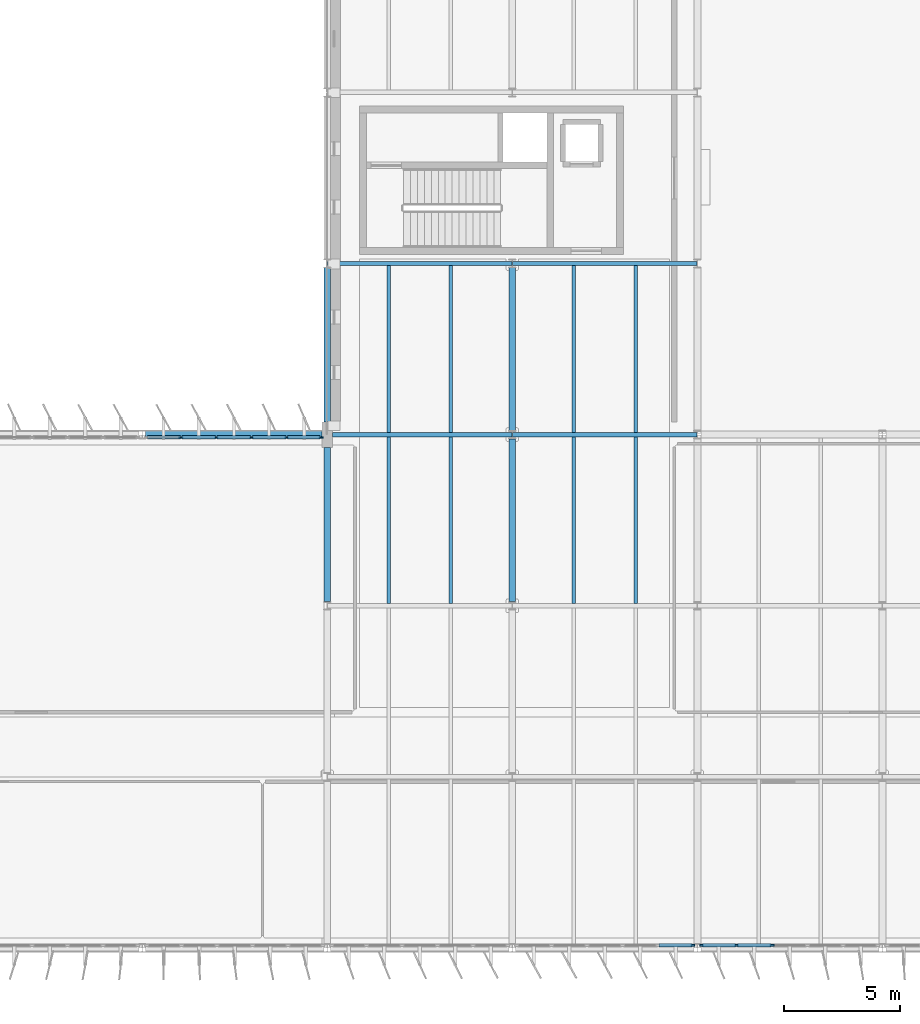
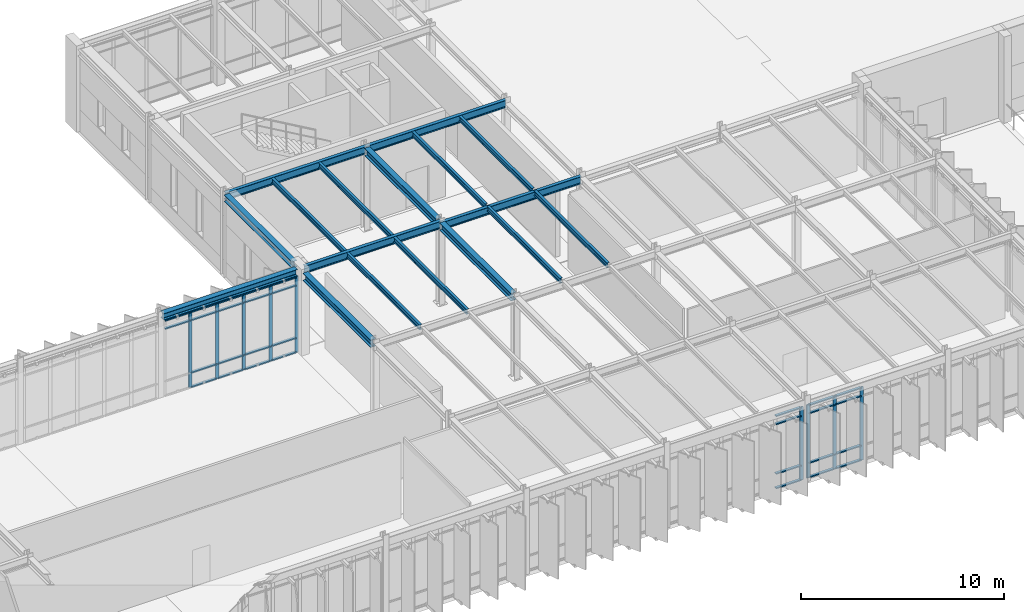
# One storey, part 18 of 48: 39 members, 17 beams, 3 elements without a shape of their own.
"""IFC4 building model written with IfcOpenShell, lengths in metres."""

from ifc_helpers import new_model, si_unit, direction, frame, origin, origin_2d, place, context, subcontext, project, spatial, rectangle, i_section, extrude, material, layer, layer_set, material_profile, profile_set, type_object, element, aggregate, save


model = new_model("IFC4")

# Units and contexts
model_context = context("Model", 3, precision=1e-05, world=origin(), true_north=direction((0.0, 1.0)))
body_context = subcontext(model_context, "Body", "Model", "MODEL_VIEW")
ifc_project = project(units=[si_unit("LENGTHUNIT", "METRE"), si_unit("AREAUNIT", "SQUARE_METRE"), si_unit("VOLUMEUNIT", "CUBIC_METRE"), si_unit("PLANEANGLEUNIT", "RADIAN"), si_unit("MASSUNIT", "GRAM", prefix="KILO")], contexts=[model_context])

# Site, building, storey
site_placement = place(None, origin())
site = spatial("IfcSite", under=ifc_project, at=site_placement, CompositionType="ELEMENT")
building_placement = place(site_placement, origin())
building = spatial("IfcBuilding", under=site, at=building_placement, Name="Valkorina Park Police Headquarters", CompositionType="ELEMENT")
storey_placement = place(building_placement, frame((0.0, 0.0, 18.10009765625)))
storey = spatial("IfcBuildingStorey", under=building, at=storey_placement, Name="L05", CompositionType="ELEMENT", Elevation=18.10009765625)

# Beams
ifc_material_1 = material(Name="Steel S355", Category="steel")
ifc_material_profile_1 = material_profile(ifc_material_1, i_section(OverallWidth=0.300048828125, OverallDepth=0.389892578125, WebThickness=0.010986328125, FlangeThickness=0.01904296875, FilletRadius=0.027099609375, at=origin_2d()), Name="HEA 400")
ifc_profile_set_1 = profile_set([ifc_material_profile_1], Name="Steel S355")
beam_type_1 = type_object("IfcBeamType", Name="BM-S355-HEA400-SPN", PredefinedType="SPANDREL", material=ifc_profile_set_1)
beam_1_placement = place(storey_placement, frame((72.949951171875, 59.199951171875, 4.784912109375), z_axis=(1.0, 0.0, 0.0), x_axis=(0.0, 1.0, 0.0)))
element("IfcBeam", 1, at=beam_1_placement, inside=storey, type_object=beam_type_1, Name="L05 Framing Beam 2496", PredefinedType="SPANDREL", context=body_context, shape_type="SweptSolid", body=[
    extrude(i_section(OverallWidth=0.300048828125, OverallDepth=0.389892578125, WebThickness=0.010986328125, FlangeThickness=0.01904296875, FilletRadius=0.027099609375, at=origin_2d()), origin(), (0.0, 0.0, 1.0), 7.625),
])
beam_2_placement = place(storey_placement, frame((80.800048828125, 59.75, 4.784912109375), z_axis=(0.0, 1.0, 0.0), x_axis=(-1.0, 0.0, 0.0)))
element("IfcBeam", 2, at=beam_2_placement, inside=storey, type_object=beam_type_1, Name="L05 Framing Beam 2556", PredefinedType="SPANDREL", context=body_context, shape_type="SweptSolid", body=[
    extrude(i_section(OverallWidth=0.300048828125, OverallDepth=0.389892578125, WebThickness=0.010986328125, FlangeThickness=0.01904296875, FilletRadius=0.027099609375, at=origin_2d()), origin(), (0.0, 0.0, 1.0), 6.669921875),
])
ifc_material_profile_2 = material_profile(ifc_material_1, i_section(OverallWidth=0.300048828125, OverallDepth=0.449951171875, WebThickness=0.013916015625, FlangeThickness=0.02587890625, FilletRadius=0.027099609375, at=origin_2d()), Name="HEB 450")
ifc_profile_set_2 = profile_set([ifc_material_profile_2], Name="Steel S355")
beam_type_2 = type_object("IfcBeamType", Name="BM-S355-HEB450-BM", PredefinedType="BEAM", material=ifc_profile_set_2)
beam_3_placement = place(storey_placement, frame((80.800048828125, 51.97998046875, 4.7548828125), z_axis=(0.0, 1.0, 0.0), x_axis=(-1.0, 0.0, 0.0)))
element("IfcBeam", 3, at=beam_3_placement, inside=storey, type_object=beam_type_2, Name="L05 Framing Beam 2553", PredefinedType="BEAM", context=body_context, shape_type="SweptSolid", body=[
    extrude(i_section(OverallWidth=0.300048828125, OverallDepth=0.449951171875, WebThickness=0.013916015625, FlangeThickness=0.02587890625, FilletRadius=0.027099609375, at=origin_2d()), origin(), (0.0, 0.0, 1.0), 6.669921875),
])
for number, where, z_axis, x_axis, name in (
    (4, (88.800048828125, 51.97998046875, 4.7548828125), (0.0, 1.0, 0.0), (-1.0, 0.0, 0.0), "L05 Framing Beam 2569"),
    (5, (88.800048828125, 59.3798828125, 4.7548828125), (0.0, 1.0, 0.0), (-1.0, 0.0, 0.0), "L05 Framing Beam 2572"),
):
    element("IfcBeam", number, at=place(storey_placement, frame(where, z_axis=z_axis, x_axis=x_axis)), inside=storey, type_object=beam_type_2, Name=name, PredefinedType="BEAM", context=body_context, shape_type="SweptSolid", body=[
        extrude(i_section(OverallWidth=0.300048828125, OverallDepth=0.449951171875, WebThickness=0.013916015625, FlangeThickness=0.02587890625, FilletRadius=0.027099609375, at=origin_2d()), origin(), (0.0, 0.0, 1.0), 7.0400390625),
    ])
ifc_material_profile_3 = material_profile(ifc_material_1, i_section(OverallWidth=0.14990234375, OverallDepth=0.300048828125, WebThickness=0.007080078125, FlangeThickness=0.0107421875, FilletRadius=0.014892578125, at=origin_2d()), Name="IPE 300")
ifc_profile_set_3 = profile_set([ifc_material_profile_3], Name="Steel S355")
beam_type_3 = type_object("IfcBeamType", Name="BM-S355-IPE300-JST", PredefinedType="JOIST", material=ifc_profile_set_3)
for number, where, z_axis, x_axis, name in (
    (6, (83.466796875, 51.89501953125, 4.829833984375), (0.0, 1.0, 0.0), (-1.0, 0.0, 0.0), "L05 Framing Beam 2554"),
    (7, (86.13330078125, 51.89501953125, 4.829833984375), (0.0, 1.0, 0.0), (-1.0, 0.0, 0.0), "L05 Framing Beam 2555"),
    (8, (83.466796875, 59.294921875, 4.829833984375), (0.0, 1.0, 0.0), (-1.0, 0.0, 0.0), "L05 Framing Beam 2557"),
    (9, (86.13330078125, 59.294921875, 4.829833984375), (0.0, 1.0, 0.0), (-1.0, 0.0, 0.0), "L05 Framing Beam 2558"),
    (10, (91.466796875, 51.89501953125, 4.829833984375), (0.0, 1.0, 0.0), (-1.0, 0.0, 0.0), "L05 Framing Beam 2570"),
    (11, (94.13330078125, 51.89501953125, 4.829833984375), (0.0, 1.0, 0.0), (-1.0, 0.0, 0.0), "L05 Framing Beam 2571"),
    (12, (91.466796875, 59.294921875, 4.829833984375), (0.0, 1.0, 0.0), (-1.0, 0.0, 0.0), "L05 Framing Beam 2573"),
    (13, (94.13330078125, 59.294921875, 4.829833984375), (0.0, 1.0, 0.0), (-1.0, 0.0, 0.0), "L05 Framing Beam 2574"),
):
    element("IfcBeam", number, at=place(storey_placement, frame(where, z_axis=z_axis, x_axis=x_axis)), inside=storey, type_object=beam_type_3, Name=name, PredefinedType="JOIST", context=body_context, shape_type="SweptSolid", body=[
        extrude(i_section(OverallWidth=0.14990234375, OverallDepth=0.300048828125, WebThickness=0.007080078125, FlangeThickness=0.0107421875, FilletRadius=0.014892578125, at=origin_2d()), origin(), (0.0, 0.0, 1.0), 7.2099609375),
    ])
ifc_material_profile_4 = material_profile(ifc_material_1, i_section(OverallWidth=0.18994140625, OverallDepth=0.449951171875, WebThickness=0.009521484375, FlangeThickness=0.0146484375, FilletRadius=0.02099609375, at=origin_2d()), Name="IPE 450")
ifc_profile_set_4 = profile_set([ifc_material_profile_4], Name="Steel S355")
beam_type_4 = type_object("IfcBeamType", Name="BM-S355-IPE450-BM", PredefinedType="BEAM", material=ifc_profile_set_4)
beam_4_placement = place(storey_placement, frame((81.02490234375, 59.199951171875, 4.7548828125), z_axis=(1.0, 0.0, 0.0), x_axis=(0.0, 1.0, 0.0)))
element("IfcBeam", 14, at=beam_4_placement, inside=storey, type_object=beam_type_4, Name="L05 Framing Beam 2497", PredefinedType="BEAM", context=body_context, shape_type="SweptSolid", body=[
    extrude(i_section(OverallWidth=0.18994140625, OverallDepth=0.449951171875, WebThickness=0.009521484375, FlangeThickness=0.0146484375, FilletRadius=0.02099609375, at=origin_2d()), origin(), (0.0, 0.0, 1.0), 7.768798828125),
])
for number, where, z_axis, x_axis, name in (
    (15, (88.806396484375, 59.199951171875, 4.64501953125), (1.0, 0.0, 0.0), (0.0, 1.0, 0.0), "L05 Framing Beam 2498"),
    (16, (80.806396484375, 66.60009765625, 4.7548828125), (1.0, 0.0, 0.0), (0.0, 1.0, 0.0), "L05 Framing Beam 2501"),
    (17, (88.806396484375, 66.60009765625, 4.7548828125), (1.0, 0.0, 0.0), (0.0, 1.0, 0.0), "L05 Framing Beam 2502"),
):
    element("IfcBeam", number, at=place(storey_placement, frame(where, z_axis=z_axis, x_axis=x_axis)), inside=storey, type_object=beam_type_4, Name=name, PredefinedType="BEAM", context=body_context, shape_type="SweptSolid", body=[
        extrude(i_section(OverallWidth=0.18994140625, OverallDepth=0.449951171875, WebThickness=0.009521484375, FlangeThickness=0.0146484375, FilletRadius=0.02099609375, at=origin_2d()), origin(), (0.0, 0.0, 1.0), 7.9873046875),
    ])

# Curtain wall, members
ifc_material_2 = material(Name="Thermally broken aluminium AW-6060", Category="aluminium")
ifc_layer_1 = layer(ifc_material_2, 0.18994140625)
ifc_layer_set_1 = layer_set([ifc_layer_1], Name="Thermally broken aluminium AW-6060")
curtain_wall_type_1 = type_object("IfcCurtainWallType", Name="CW-V5-7680x4410", PredefinedType="NOTDEFINED", material=ifc_layer_set_1)
curtain_wall_1_placement = place(storey_placement, origin())
curtain_wall_1 = element("IfcCurtainWall", 18, at=curtain_wall_1_placement, inside=storey, type_object=curtain_wall_type_1, Name="L05 Unitised Curtain Wall 062", PredefinedType="NOTDEFINED")
ifc_material_profile_5 = material_profile(ifc_material_2, rectangle(XDim=0.070068359375, YDim=0.18994140625, at=origin_2d()), Name="CWM-02 70x190")
ifc_profile_set_5 = profile_set([ifc_material_profile_5], Name="Thermally broken aluminium AW-6060")
member_type_1 = type_object("IfcMemberType", Name="CWM-70x190", PredefinedType="MULLION", material=ifc_profile_set_5)
member_1_placement = place(storey_placement, frame((100.031982421875, 37.1201171875, 0.0), z_axis=(0.0, 0.0, 1.0), x_axis=(0.0, -1.0, 0.0)))
member_1 = element("IfcMember", 19, at=member_1_placement, type_object=member_type_1, Name="CW-V5-768-441 mullion 4", PredefinedType="MULLION", context=body_context, shape_type="SweptSolid", body=[
    extrude(rectangle(XDim=0.070068359375, YDim=0.18994140625, at=origin_2d()), origin(), (0.0, 0.0, 1.0), 4.409912109375),
])
member_2_placement = place(storey_placement, frame((98.49609375, 37.1201171875, 0.0), z_axis=(0.0, 0.0, 1.0), x_axis=(0.0, -1.0, 0.0)))
member_2 = element("IfcMember", 20, at=member_2_placement, type_object=member_type_1, Name="CW-V5-768-441 mullion 5", PredefinedType="MULLION", context=body_context, shape_type="SweptSolid", body=[
    extrude(rectangle(XDim=0.070068359375, YDim=0.18994140625, at=origin_2d()), origin(), (0.0, 0.0, 1.0), 4.409912109375),
])
member_3_placement = place(storey_placement, frame((96.9951171875, 37.1201171875, 0.0), z_axis=(0.0, 0.0, 1.0), x_axis=(0.0, -1.0, 0.0)))
member_3 = element("IfcMember", 21, at=member_3_placement, type_object=member_type_1, Name="CW-V5-768-441 mullion 6", PredefinedType="MULLION", context=body_context, shape_type="SweptSolid", body=[
    extrude(rectangle(XDim=0.070068359375, YDim=0.18994140625, at=origin_2d()), origin(), (0.0, 0.0, 1.0), 4.409912109375),
])

# Curtain wall, member
curtain_wall_2_placement = place(storey_placement, origin())
curtain_wall_2 = element("IfcCurtainWall", 22, at=curtain_wall_2_placement, inside=storey, type_object=curtain_wall_type_1, Name="L05 Unitised Curtain Wall 063", PredefinedType="NOTDEFINED")
member_4_placement = place(storey_placement, frame((96.60498046875, 37.1201171875, 0.0), z_axis=(0.0, 0.0, 1.0), x_axis=(0.0, -1.0, 0.0)))
member_4 = element("IfcMember", 23, at=member_4_placement, type_object=member_type_1, Name="CW-V5-768-441 mullion 1", PredefinedType="MULLION", context=body_context, shape_type="SweptSolid", body=[
    extrude(rectangle(XDim=0.070068359375, YDim=0.18994140625, at=origin_2d()), origin(), (0.0, 0.0, 1.0), 4.409912109375),
])

# Curtain wall, members
ifc_layer_2 = layer(ifc_material_2, 0.18994140625)
ifc_layer_set_2 = layer_set([ifc_layer_2], Name="Thermally broken aluminium AW-6060")
curtain_wall_type_2 = type_object("IfcCurtainWallType", Name="CW-V5-7600x4580", PredefinedType="NOTDEFINED", material=ifc_layer_set_2)
curtain_wall_3_placement = place(storey_placement, origin())
curtain_wall_3 = element("IfcCurtainWall", 24, at=curtain_wall_3_placement, inside=storey, type_object=curtain_wall_type_2, Name="L05 Unitised Curtain Wall 087", PredefinedType="NOTDEFINED")
member_5_placement = place(storey_placement, frame((74.48095703125, 59.080078125, 0.0), z_axis=(0.0, 0.0, 1.0), x_axis=(0.0, 1.0, 0.0)))
member_5 = element("IfcMember", 25, at=member_5_placement, type_object=member_type_1, Name="CW-V5-760-458 mullion 2", PredefinedType="MULLION", context=body_context, shape_type="SweptSolid", body=[
    extrude(rectangle(XDim=0.070068359375, YDim=0.18994140625, at=origin_2d()), origin(), (0.0, 0.0, 1.0), 4.579833984375),
])
member_6_placement = place(storey_placement, frame((76.001953125, 59.080078125, 0.0), z_axis=(0.0, 0.0, 1.0), x_axis=(0.0, 1.0, 0.0)))
member_6 = element("IfcMember", 26, at=member_6_placement, type_object=member_type_1, Name="CW-V5-760-458 mullion 3", PredefinedType="MULLION", context=body_context, shape_type="SweptSolid", body=[
    extrude(rectangle(XDim=0.070068359375, YDim=0.18994140625, at=origin_2d()), origin(), (0.0, 0.0, 1.0), 4.579833984375),
])
member_7_placement = place(storey_placement, frame((77.52294921875, 59.080078125, 0.0), z_axis=(0.0, 0.0, 1.0), x_axis=(0.0, 1.0, 0.0)))
member_7 = element("IfcMember", 27, at=member_7_placement, type_object=member_type_1, Name="CW-V5-760-458 mullion 4", PredefinedType="MULLION", context=body_context, shape_type="SweptSolid", body=[
    extrude(rectangle(XDim=0.070068359375, YDim=0.18994140625, at=origin_2d()), origin(), (0.0, 0.0, 1.0), 4.579833984375),
])
member_8_placement = place(storey_placement, frame((79.0439453125, 59.080078125, 0.0), z_axis=(0.0, 0.0, 1.0), x_axis=(0.0, 1.0, 0.0)))
member_8 = element("IfcMember", 28, at=member_8_placement, type_object=member_type_1, Name="CW-V5-760-458 mullion 5", PredefinedType="MULLION", context=body_context, shape_type="SweptSolid", body=[
    extrude(rectangle(XDim=0.070068359375, YDim=0.18994140625, at=origin_2d()), origin(), (0.0, 0.0, 1.0), 4.579833984375),
])
member_9_placement = place(storey_placement, frame((80.530029296875, 59.080078125, 0.0), z_axis=(0.0, 0.0, 1.0), x_axis=(0.0, 1.0, 0.0)))
member_9 = element("IfcMember", 29, at=member_9_placement, type_object=member_type_1, Name="CW-V5-760-458 mullion 6", PredefinedType="MULLION", context=body_context, shape_type="SweptSolid", body=[
    extrude(rectangle(XDim=0.070068359375, YDim=0.18994140625, at=origin_2d()), origin(), (0.0, 0.0, 1.0), 4.579833984375),
])

# Member
ifc_material_profile_6 = material_profile(ifc_material_2, rectangle(XDim=0.14990234375, YDim=0.070068359375, at=origin_2d()), Name="CWT-02 150x70")
ifc_profile_set_6 = profile_set([ifc_material_profile_6], Name="Thermally broken aluminium AW-6060")
member_type_2 = type_object("IfcMemberType", Name="CWT-150x70", PredefinedType="USERDEFINED", material=ifc_profile_set_6)
member_10_placement = place(storey_placement, frame((99.9970703125, 37.1201171875, 0.034912109375), z_axis=(-1.0, 0.0, 0.0), x_axis=(0.0, -1.0, 0.0)))
member_10 = element("IfcMember", 30, at=member_10_placement, type_object=member_type_2, Name="CW-V5-768-441 transom 4.1", ObjectType="TRANSOM", PredefinedType="USERDEFINED", context=body_context, shape_type="SweptSolid", body=[
    extrude(rectangle(XDim=0.14990234375, YDim=0.070068359375, at=origin_2d()), origin(), (0.0, 0.0, 1.0), 1.466064453125),
])

member_11_placement = place(storey_placement, frame((99.9970703125, 37.1201171875, 0.89990234375), z_axis=(-1.0, 0.0, 0.0), x_axis=(0.0, -1.0, 0.0)))
member_11 = element("IfcMember", 31, at=member_11_placement, type_object=member_type_2, Name="CW-V5-768-441 transom 4.2", ObjectType="TRANSOM", PredefinedType="USERDEFINED", context=body_context, shape_type="SweptSolid", body=[
    extrude(rectangle(XDim=0.14990234375, YDim=0.070068359375, at=origin_2d()), origin(), (0.0, 0.0, 1.0), 1.466064453125),
])

member_12_placement = place(storey_placement, frame((99.9970703125, 37.1201171875, 3.889892578125), z_axis=(-1.0, 0.0, 0.0), x_axis=(0.0, -1.0, 0.0)))
member_12 = element("IfcMember", 32, at=member_12_placement, type_object=member_type_2, Name="CW-V5-768-441 transom 4.3", ObjectType="TRANSOM", PredefinedType="USERDEFINED", context=body_context, shape_type="SweptSolid", body=[
    extrude(rectangle(XDim=0.14990234375, YDim=0.070068359375, at=origin_2d()), origin(), (0.0, 0.0, 1.0), 1.466064453125),
])

member_13_placement = place(storey_placement, frame((99.9970703125, 37.1201171875, 4.375), z_axis=(-1.0, 0.0, 0.0), x_axis=(0.0, -1.0, 0.0)))
member_13 = element("IfcMember", 33, at=member_13_placement, type_object=member_type_2, Name="CW-V5-768-441 transom 4.4", ObjectType="TRANSOM", PredefinedType="USERDEFINED", context=body_context, shape_type="SweptSolid", body=[
    extrude(rectangle(XDim=0.14990234375, YDim=0.070068359375, at=origin_2d()), origin(), (0.0, 0.0, 1.0), 1.466064453125),
])

member_14_placement = place(storey_placement, frame((98.4609375, 37.1201171875, 0.034912109375), z_axis=(-1.0, 0.0, 0.0), x_axis=(0.0, -1.0, 0.0)))
member_14 = element("IfcMember", 34, at=member_14_placement, type_object=member_type_2, Name="CW-V5-768-441 transom 5.1", ObjectType="TRANSOM", PredefinedType="USERDEFINED", context=body_context, shape_type="SweptSolid", body=[
    extrude(rectangle(XDim=0.14990234375, YDim=0.070068359375, at=origin_2d()), origin(), (0.0, 0.0, 1.0), 1.430908203125),
])

member_15_placement = place(storey_placement, frame((98.4609375, 37.1201171875, 0.89990234375), z_axis=(-1.0, 0.0, 0.0), x_axis=(0.0, -1.0, 0.0)))
member_15 = element("IfcMember", 35, at=member_15_placement, type_object=member_type_2, Name="CW-V5-768-441 transom 5.2", ObjectType="TRANSOM", PredefinedType="USERDEFINED", context=body_context, shape_type="SweptSolid", body=[
    extrude(rectangle(XDim=0.14990234375, YDim=0.070068359375, at=origin_2d()), origin(), (0.0, 0.0, 1.0), 1.430908203125),
])

member_16_placement = place(storey_placement, frame((98.4609375, 37.1201171875, 3.889892578125), z_axis=(-1.0, 0.0, 0.0), x_axis=(0.0, -1.0, 0.0)))
member_16 = element("IfcMember", 36, at=member_16_placement, type_object=member_type_2, Name="CW-V5-768-441 transom 5.3", ObjectType="TRANSOM", PredefinedType="USERDEFINED", context=body_context, shape_type="SweptSolid", body=[
    extrude(rectangle(XDim=0.14990234375, YDim=0.070068359375, at=origin_2d()), origin(), (0.0, 0.0, 1.0), 1.430908203125),
])

member_17_placement = place(storey_placement, frame((98.4609375, 37.1201171875, 4.375), z_axis=(-1.0, 0.0, 0.0), x_axis=(0.0, -1.0, 0.0)))
member_17 = element("IfcMember", 37, at=member_17_placement, type_object=member_type_2, Name="CW-V5-768-441 transom 5.4", ObjectType="TRANSOM", PredefinedType="USERDEFINED", context=body_context, shape_type="SweptSolid", body=[
    extrude(rectangle(XDim=0.14990234375, YDim=0.070068359375, at=origin_2d()), origin(), (0.0, 0.0, 1.0), 1.430908203125),
])

aggregate(curtain_wall_1, [member_1, member_2, member_3, member_10, member_11, member_12, member_13, member_14, member_15, member_16, member_17])

member_18_placement = place(storey_placement, frame((96.570068359375, 37.1201171875, 0.034912109375), z_axis=(-1.0, 0.0, 0.0), x_axis=(0.0, -1.0, 0.0)))
member_18 = element("IfcMember", 38, at=member_18_placement, type_object=member_type_2, Name="CW-V5-768-441 transom 1.1", ObjectType="TRANSOM", PredefinedType="USERDEFINED", context=body_context, shape_type="SweptSolid", body=[
    extrude(rectangle(XDim=0.14990234375, YDim=0.070068359375, at=origin_2d()), origin(), (0.0, 0.0, 1.0), 1.43115234375),
])

member_19_placement = place(storey_placement, frame((96.570068359375, 37.1201171875, 0.89990234375), z_axis=(-1.0, 0.0, 0.0), x_axis=(0.0, -1.0, 0.0)))
member_19 = element("IfcMember", 39, at=member_19_placement, type_object=member_type_2, Name="CW-V5-768-441 transom 1.2", ObjectType="TRANSOM", PredefinedType="USERDEFINED", context=body_context, shape_type="SweptSolid", body=[
    extrude(rectangle(XDim=0.14990234375, YDim=0.070068359375, at=origin_2d()), origin(), (0.0, 0.0, 1.0), 1.43115234375),
])

member_20_placement = place(storey_placement, frame((96.570068359375, 37.1201171875, 3.889892578125), z_axis=(-1.0, 0.0, 0.0), x_axis=(0.0, -1.0, 0.0)))
member_20 = element("IfcMember", 40, at=member_20_placement, type_object=member_type_2, Name="CW-V5-768-441 transom 1.3", ObjectType="TRANSOM", PredefinedType="USERDEFINED", context=body_context, shape_type="SweptSolid", body=[
    extrude(rectangle(XDim=0.14990234375, YDim=0.070068359375, at=origin_2d()), origin(), (0.0, 0.0, 1.0), 1.43115234375),
])

member_21_placement = place(storey_placement, frame((96.570068359375, 37.1201171875, 4.375), z_axis=(-1.0, 0.0, 0.0), x_axis=(0.0, -1.0, 0.0)))
member_21 = element("IfcMember", 41, at=member_21_placement, type_object=member_type_2, Name="CW-V5-768-441 transom 1.4", ObjectType="TRANSOM", PredefinedType="USERDEFINED", context=body_context, shape_type="SweptSolid", body=[
    extrude(rectangle(XDim=0.14990234375, YDim=0.070068359375, at=origin_2d()), origin(), (0.0, 0.0, 1.0), 1.43115234375),
])

aggregate(curtain_wall_2, [member_4, member_18, member_19, member_20, member_21])

member_22_placement = place(storey_placement, frame((73.030029296875, 59.080078125, 4.059814453125), z_axis=(1.0, 0.0, 0.0), x_axis=(0.0, 1.0, 0.0)))
member_22 = element("IfcMember", 42, at=member_22_placement, type_object=member_type_2, Name="CW-V5-760-458 transom 1.3", ObjectType="TRANSOM", PredefinedType="USERDEFINED", context=body_context, shape_type="SweptSolid", body=[
    extrude(rectangle(XDim=0.14990234375, YDim=0.070068359375, at=origin_2d()), origin(), (0.0, 0.0, 1.0), 1.416015625),
])

member_23_placement = place(storey_placement, frame((73.030029296875, 59.080078125, 4.544921875), z_axis=(1.0, 0.0, 0.0), x_axis=(0.0, 1.0, 0.0)))
member_23 = element("IfcMember", 43, at=member_23_placement, type_object=member_type_2, Name="CW-V5-760-458 transom 1.4", ObjectType="TRANSOM", PredefinedType="USERDEFINED", context=body_context, shape_type="SweptSolid", body=[
    extrude(rectangle(XDim=0.14990234375, YDim=0.070068359375, at=origin_2d()), origin(), (0.0, 0.0, 1.0), 1.416015625),
])

member_24_placement = place(storey_placement, frame((74.51611328125, 59.080078125, 0.034912109375), z_axis=(1.0, 0.0, 0.0), x_axis=(0.0, 1.0, 0.0)))
member_24 = element("IfcMember", 44, at=member_24_placement, type_object=member_type_2, Name="CW-V5-760-458 transom 2.1", ObjectType="TRANSOM", PredefinedType="USERDEFINED", context=body_context, shape_type="SweptSolid", body=[
    extrude(rectangle(XDim=0.14990234375, YDim=0.070068359375, at=origin_2d()), origin(), (0.0, 0.0, 1.0), 1.450927734375),
])

member_25_placement = place(storey_placement, frame((74.51611328125, 59.080078125, 0.89990234375), z_axis=(1.0, 0.0, 0.0), x_axis=(0.0, 1.0, 0.0)))
member_25 = element("IfcMember", 45, at=member_25_placement, type_object=member_type_2, Name="CW-V5-760-458 transom 2.2", ObjectType="TRANSOM", PredefinedType="USERDEFINED", context=body_context, shape_type="SweptSolid", body=[
    extrude(rectangle(XDim=0.14990234375, YDim=0.070068359375, at=origin_2d()), origin(), (0.0, 0.0, 1.0), 1.450927734375),
])

member_26_placement = place(storey_placement, frame((74.51611328125, 59.080078125, 4.059814453125), z_axis=(1.0, 0.0, 0.0), x_axis=(0.0, 1.0, 0.0)))
member_26 = element("IfcMember", 46, at=member_26_placement, type_object=member_type_2, Name="CW-V5-760-458 transom 2.3", ObjectType="TRANSOM", PredefinedType="USERDEFINED", context=body_context, shape_type="SweptSolid", body=[
    extrude(rectangle(XDim=0.14990234375, YDim=0.070068359375, at=origin_2d()), origin(), (0.0, 0.0, 1.0), 1.450927734375),
])

member_27_placement = place(storey_placement, frame((74.51611328125, 59.080078125, 4.544921875), z_axis=(1.0, 0.0, 0.0), x_axis=(0.0, 1.0, 0.0)))
member_27 = element("IfcMember", 47, at=member_27_placement, type_object=member_type_2, Name="CW-V5-760-458 transom 2.4", ObjectType="TRANSOM", PredefinedType="USERDEFINED", context=body_context, shape_type="SweptSolid", body=[
    extrude(rectangle(XDim=0.14990234375, YDim=0.070068359375, at=origin_2d()), origin(), (0.0, 0.0, 1.0), 1.450927734375),
])

member_28_placement = place(storey_placement, frame((76.037109375, 59.080078125, 0.034912109375), z_axis=(1.0, 0.0, 0.0), x_axis=(0.0, 1.0, 0.0)))
member_28 = element("IfcMember", 48, at=member_28_placement, type_object=member_type_2, Name="CW-V5-760-458 transom 3.1", ObjectType="TRANSOM", PredefinedType="USERDEFINED", context=body_context, shape_type="SweptSolid", body=[
    extrude(rectangle(XDim=0.14990234375, YDim=0.070068359375, at=origin_2d()), origin(), (0.0, 0.0, 1.0), 1.450927734375),
])

member_29_placement = place(storey_placement, frame((76.037109375, 59.080078125, 0.89990234375), z_axis=(1.0, 0.0, 0.0), x_axis=(0.0, 1.0, 0.0)))
member_29 = element("IfcMember", 49, at=member_29_placement, type_object=member_type_2, Name="CW-V5-760-458 transom 3.2", ObjectType="TRANSOM", PredefinedType="USERDEFINED", context=body_context, shape_type="SweptSolid", body=[
    extrude(rectangle(XDim=0.14990234375, YDim=0.070068359375, at=origin_2d()), origin(), (0.0, 0.0, 1.0), 1.450927734375),
])

member_30_placement = place(storey_placement, frame((76.037109375, 59.080078125, 4.059814453125), z_axis=(1.0, 0.0, 0.0), x_axis=(0.0, 1.0, 0.0)))
member_30 = element("IfcMember", 50, at=member_30_placement, type_object=member_type_2, Name="CW-V5-760-458 transom 3.3", ObjectType="TRANSOM", PredefinedType="USERDEFINED", context=body_context, shape_type="SweptSolid", body=[
    extrude(rectangle(XDim=0.14990234375, YDim=0.070068359375, at=origin_2d()), origin(), (0.0, 0.0, 1.0), 1.450927734375),
])

member_31_placement = place(storey_placement, frame((76.037109375, 59.080078125, 4.544921875), z_axis=(1.0, 0.0, 0.0), x_axis=(0.0, 1.0, 0.0)))
member_31 = element("IfcMember", 51, at=member_31_placement, type_object=member_type_2, Name="CW-V5-760-458 transom 3.4", ObjectType="TRANSOM", PredefinedType="USERDEFINED", context=body_context, shape_type="SweptSolid", body=[
    extrude(rectangle(XDim=0.14990234375, YDim=0.070068359375, at=origin_2d()), origin(), (0.0, 0.0, 1.0), 1.450927734375),
])

member_32_placement = place(storey_placement, frame((77.55810546875, 59.080078125, 0.034912109375), z_axis=(1.0, 0.0, 0.0), x_axis=(0.0, 1.0, 0.0)))
member_32 = element("IfcMember", 52, at=member_32_placement, type_object=member_type_2, Name="CW-V5-760-458 transom 4.1", ObjectType="TRANSOM", PredefinedType="USERDEFINED", context=body_context, shape_type="SweptSolid", body=[
    extrude(rectangle(XDim=0.14990234375, YDim=0.070068359375, at=origin_2d()), origin(), (0.0, 0.0, 1.0), 1.450927734375),
])

member_33_placement = place(storey_placement, frame((77.55810546875, 59.080078125, 0.89990234375), z_axis=(1.0, 0.0, 0.0), x_axis=(0.0, 1.0, 0.0)))
member_33 = element("IfcMember", 53, at=member_33_placement, type_object=member_type_2, Name="CW-V5-760-458 transom 4.2", ObjectType="TRANSOM", PredefinedType="USERDEFINED", context=body_context, shape_type="SweptSolid", body=[
    extrude(rectangle(XDim=0.14990234375, YDim=0.070068359375, at=origin_2d()), origin(), (0.0, 0.0, 1.0), 1.450927734375),
])

member_34_placement = place(storey_placement, frame((77.55810546875, 59.080078125, 4.059814453125), z_axis=(1.0, 0.0, 0.0), x_axis=(0.0, 1.0, 0.0)))
member_34 = element("IfcMember", 54, at=member_34_placement, type_object=member_type_2, Name="CW-V5-760-458 transom 4.3", ObjectType="TRANSOM", PredefinedType="USERDEFINED", context=body_context, shape_type="SweptSolid", body=[
    extrude(rectangle(XDim=0.14990234375, YDim=0.070068359375, at=origin_2d()), origin(), (0.0, 0.0, 1.0), 1.450927734375),
])

member_35_placement = place(storey_placement, frame((77.55810546875, 59.080078125, 4.544921875), z_axis=(1.0, 0.0, 0.0), x_axis=(0.0, 1.0, 0.0)))
member_35 = element("IfcMember", 55, at=member_35_placement, type_object=member_type_2, Name="CW-V5-760-458 transom 4.4", ObjectType="TRANSOM", PredefinedType="USERDEFINED", context=body_context, shape_type="SweptSolid", body=[
    extrude(rectangle(XDim=0.14990234375, YDim=0.070068359375, at=origin_2d()), origin(), (0.0, 0.0, 1.0), 1.450927734375),
])

member_36_placement = place(storey_placement, frame((79.0791015625, 59.080078125, 0.034912109375), z_axis=(1.0, 0.0, 0.0), x_axis=(0.0, 1.0, 0.0)))
member_36 = element("IfcMember", 56, at=member_36_placement, type_object=member_type_2, Name="CW-V5-760-458 transom 5.1", ObjectType="TRANSOM", PredefinedType="USERDEFINED", context=body_context, shape_type="SweptSolid", body=[
    extrude(rectangle(XDim=0.14990234375, YDim=0.070068359375, at=origin_2d()), origin(), (0.0, 0.0, 1.0), 1.416015625),
])

member_37_placement = place(storey_placement, frame((79.0791015625, 59.080078125, 0.89990234375), z_axis=(1.0, 0.0, 0.0), x_axis=(0.0, 1.0, 0.0)))
member_37 = element("IfcMember", 57, at=member_37_placement, type_object=member_type_2, Name="CW-V5-760-458 transom 5.2", ObjectType="TRANSOM", PredefinedType="USERDEFINED", context=body_context, shape_type="SweptSolid", body=[
    extrude(rectangle(XDim=0.14990234375, YDim=0.070068359375, at=origin_2d()), origin(), (0.0, 0.0, 1.0), 1.416015625),
])

member_38_placement = place(storey_placement, frame((79.0791015625, 59.080078125, 4.059814453125), z_axis=(1.0, 0.0, 0.0), x_axis=(0.0, 1.0, 0.0)))
member_38 = element("IfcMember", 58, at=member_38_placement, type_object=member_type_2, Name="CW-V5-760-458 transom 5.3", ObjectType="TRANSOM", PredefinedType="USERDEFINED", context=body_context, shape_type="SweptSolid", body=[
    extrude(rectangle(XDim=0.14990234375, YDim=0.070068359375, at=origin_2d()), origin(), (0.0, 0.0, 1.0), 1.416015625),
])

member_39_placement = place(storey_placement, frame((79.0791015625, 59.080078125, 4.544921875), z_axis=(1.0, 0.0, 0.0), x_axis=(0.0, 1.0, 0.0)))
member_39 = element("IfcMember", 59, at=member_39_placement, type_object=member_type_2, Name="CW-V5-760-458 transom 5.4", ObjectType="TRANSOM", PredefinedType="USERDEFINED", context=body_context, shape_type="SweptSolid", body=[
    extrude(rectangle(XDim=0.14990234375, YDim=0.070068359375, at=origin_2d()), origin(), (0.0, 0.0, 1.0), 1.416015625),
])

aggregate(curtain_wall_3, [member_5, member_6, member_7, member_8, member_9, member_22, member_23, member_24, member_25, member_26, member_27, member_28, member_29, member_30, member_31, member_32, member_33, member_34, member_35, member_36, member_37, member_38, member_39])

save(model, "model.ifc")
